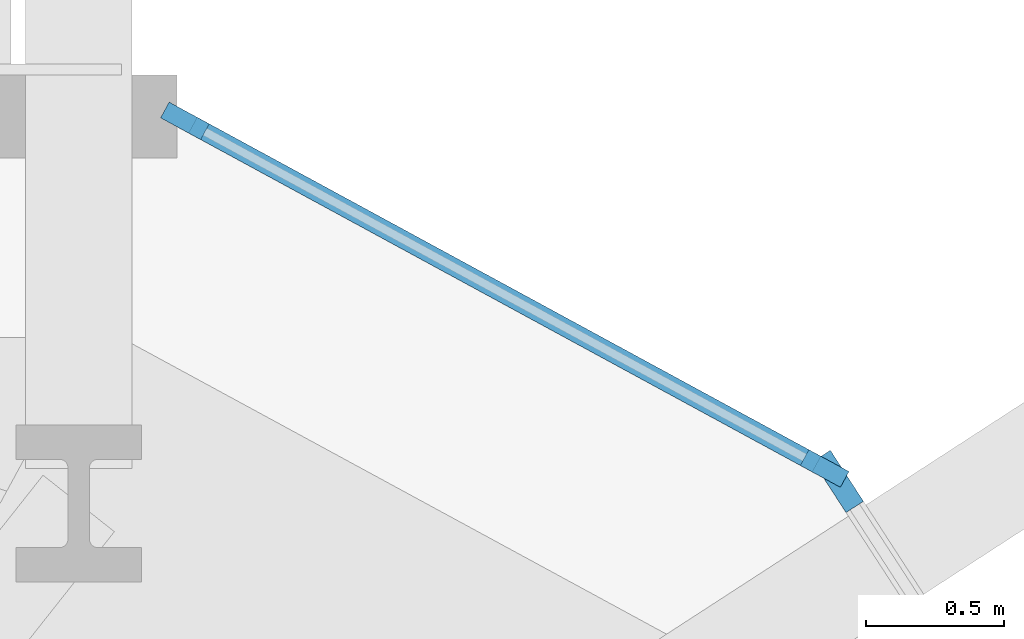
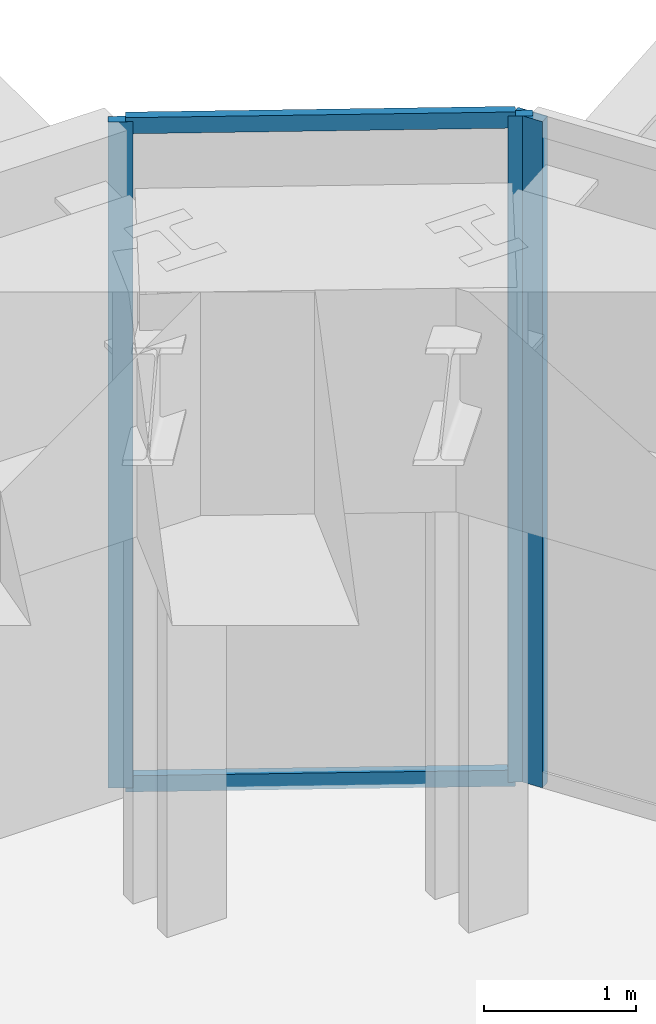
# One storey, part 11 of 19: 5 members, 2 elements without a shape of their own.
"""IFC4 building model written with IfcOpenShell, lengths in metres."""

from ifc_helpers import new_model, si_unit, direction, frame, origin, origin_2d, place, context, subcontext, project, spatial, rectangle, extrude, source, transform, mapped, material, layer, layer_set, material_profile, profile_set, type_object, type_shapes, element, aggregate, save


model = new_model("IFC4")

# Units and contexts
model_context = context("Model", 3, precision=1e-05, world=origin(), true_north=direction((0.0, 1.0)))
body_context = subcontext(model_context, "Body", "Model", "MODEL_VIEW")
ifc_project = project(units=[si_unit("LENGTHUNIT", "METRE"), si_unit("AREAUNIT", "SQUARE_METRE"), si_unit("VOLUMEUNIT", "CUBIC_METRE"), si_unit("PLANEANGLEUNIT", "RADIAN"), si_unit("MASSUNIT", "GRAM", prefix="KILO")], contexts=[model_context])

# Site, building, storey
site_placement = place(None, origin())
site = spatial("IfcSite", under=ifc_project, at=site_placement, CompositionType="ELEMENT")
building_placement = place(site_placement, origin())
building = spatial("IfcBuilding", under=site, at=building_placement, Name="Durnholm Broadcast Tower", CompositionType="ELEMENT")
storey_placement = place(building_placement, frame((0.0, 0.0, 26.800048828125)))
storey = spatial("IfcBuildingStorey", under=building, at=storey_placement, Name="L05", CompositionType="ELEMENT", Elevation=26.800048828125)

# Curtain wall, members
ifc_material_1 = material(Name="Aluminium and Solar Control IGU", Category="aluminium")
ifc_layer_1 = layer(ifc_material_1, 0.1650390625)
ifc_layer_set_1 = layer_set([ifc_layer_1], Name="Aluminium and Solar Control IGU")
curtain_wall_type_1 = type_object("IfcCurtainWallType", Name="CW-SYS-5", PredefinedType="NOTDEFINED", material=ifc_layer_set_1)
curtain_wall_1_placement = place(storey_placement, origin())
curtain_wall_1 = element("IfcCurtainWall", 1, at=curtain_wall_1_placement, inside=storey, type_object=curtain_wall_type_1, Name="L05 curtain wall CW-CORNER CW-L05-CRN-05", PredefinedType="NOTDEFINED")
ifc_material_2 = material(Name="Aluminium 6063-T6", Category="aluminium")
ifc_material_profile_1 = material_profile(ifc_material_2, rectangle(XDim=0.06494140625, YDim=0.1298828125, at=origin_2d()), Name="CWT65X130")
ifc_profile_set_1 = profile_set([ifc_material_profile_1], Name="Aluminium 6063-T6")
member_type_1 = type_object("IfcMemberType", Name="CW-SYS-5-TRN", PredefinedType="USERDEFINED", material=ifc_profile_set_1)
shared_shape_1 = source(origin(), body_context, "Body", "SweptSolid", [
    extrude(rectangle(XDim=0.06494140625, YDim=0.1298828125, at=origin_2d()), origin(), (0.0, 0.0, 1.0), 2.56982421875),
])
type_shapes(member_type_1, [shared_shape_1])
member_1_placement = place(storey_placement, frame((14.5322265625, 23.76904296875, 0.032470703125), z_axis=(0.878649635893, -0.47746708509, 0.0), x_axis=(0.47746708509, 0.878649635893, 0.0)))
member_1 = element("IfcMember", 2, at=member_1_placement, type_object=member_type_1, Name="CW-CORNER transom 1.1", ObjectType="TRANSOM", PredefinedType="USERDEFINED", context=body_context, shape_type="MappedRepresentation", body=[
    mapped(shared_shape_1, transform((0.0, 0.0, 0.0), x_axis=(1.0, 0.0, 0.0), y_axis=(0.0, 1.0, 0.0), z_axis=(0.0, 0.0, 1.0), scale=1.0)),
])
member_2_placement = place(storey_placement, frame((14.5322265625, 23.76904296875, 5.327392578125), z_axis=(0.878649635893, -0.47746708509, 0.0), x_axis=(0.47746708509, 0.878649635893, 0.0)))
member_2 = element("IfcMember", 3, at=member_2_placement, type_object=member_type_1, Name="CW-CORNER transom 1.2", ObjectType="TRANSOM", PredefinedType="USERDEFINED", context=body_context, shape_type="MappedRepresentation", body=[
    mapped(shared_shape_1, transform((0.0, 0.0, 0.0), x_axis=(1.0, 0.0, 0.0), y_axis=(0.0, 1.0, 0.0), z_axis=(0.0, 0.0, 1.0), scale=1.0)),
])
ifc_material_profile_2 = material_profile(ifc_material_2, rectangle(XDim=0.06494140625, YDim=0.1650390625, at=origin_2d()), Name="CWM65X165")
ifc_profile_set_2 = profile_set([ifc_material_profile_2], Name="Aluminium 6063-T6")
member_type_2 = type_object("IfcMemberType", Name="CW-SYS-5-MUL", PredefinedType="MULLION", material=ifc_profile_set_2)
shared_shape_2 = source(origin(), body_context, "Body", "SweptSolid", [
    extrude(rectangle(XDim=0.06494140625, YDim=0.1650390625, at=origin_2d()), origin(), (0.0, 0.0, 1.0), 5.35986328125),
])
type_shapes(member_type_2, [shared_shape_2])
member_3_placement = place(storey_placement, frame((14.503662109375, 23.784423828125, 0.0), z_axis=(0.0, 0.0, 1.0), x_axis=(0.477442460995, 0.878663016429, 0.0)))
member_3 = element("IfcMember", 4, at=member_3_placement, type_object=member_type_2, Name="CW-CORNER mullion 1", PredefinedType="MULLION", context=body_context, shape_type="MappedRepresentation", body=[
    mapped(shared_shape_2, transform((0.0, 0.0, 0.0), x_axis=(1.0, 0.0, 0.0), y_axis=(0.0, 1.0, 0.0), z_axis=(0.0, 0.0, 1.0), scale=1.0)),
])
member_4_placement = place(storey_placement, frame((16.81884765625, 22.5263671875, 0.0), z_axis=(0.0, 0.0, 1.0), x_axis=(0.477442460995, 0.878663016429, 0.0)))
member_4 = element("IfcMember", 5, at=member_4_placement, type_object=member_type_2, Name="CW-CORNER mullion 2", PredefinedType="MULLION", context=body_context, shape_type="MappedRepresentation", body=[
    mapped(shared_shape_2, transform((0.0, 0.0, 0.0), x_axis=(1.0, 0.0, 0.0), y_axis=(0.0, 1.0, 0.0), z_axis=(0.0, 0.0, 1.0), scale=1.0)),
])
aggregate(curtain_wall_1, [member_3, member_4, member_1, member_2])

# Curtain wall, member
ifc_layer_2 = layer(ifc_material_1, 0.219970703125)
ifc_layer_set_2 = layer_set([ifc_layer_2], Name="Aluminium and Solar Control IGU")
curtain_wall_type_2 = type_object("IfcCurtainWallType", Name="CW-SYS-2", PredefinedType="NOTDEFINED", material=ifc_layer_set_2)
curtain_wall_2_placement = place(storey_placement, origin())
curtain_wall_2 = element("IfcCurtainWall", 6, at=curtain_wall_2_placement, inside=storey, type_object=curtain_wall_type_2, Name="L05 curtain wall CW-STUDIO CW-L05-F06", PredefinedType="NOTDEFINED")
ifc_material_profile_3 = material_profile(ifc_material_2, rectangle(XDim=0.074951171875, YDim=0.219970703125, at=origin_2d()), Name="CWM75X220")
ifc_profile_set_3 = profile_set([ifc_material_profile_3], Name="Aluminium 6063-T6")
member_type_3 = type_object("IfcMemberType", Name="CW-SYS-2-MUL", PredefinedType="MULLION", material=ifc_profile_set_3)
shared_shape_3 = source(origin(), body_context, "Body", "SweptSolid", [
    extrude(rectangle(XDim=0.074951171875, YDim=0.219970703125, at=origin_2d()), origin(), (0.0, 0.0, 1.0), 5.35986328125),
])
type_shapes(member_type_3, [shared_shape_3])
member_5_placement = place(storey_placement, frame((16.867919921875, 22.4794921875, 0.0), z_axis=(0.0, 0.0, 1.0), x_axis=(0.839009373297, 0.544116964926, 0.0)))
member_5 = element("IfcMember", 7, at=member_5_placement, type_object=member_type_3, Name="CW-STUDIO mullion 1", PredefinedType="MULLION", context=body_context, shape_type="MappedRepresentation", body=[
    mapped(shared_shape_3, transform((0.0, 0.0, 0.0), x_axis=(1.0, 0.0, 0.0), y_axis=(0.0, 1.0, 0.0), z_axis=(0.0, 0.0, 1.0), scale=1.0)),
])
aggregate(curtain_wall_2, [member_5])

save(model, "model.ifc")
